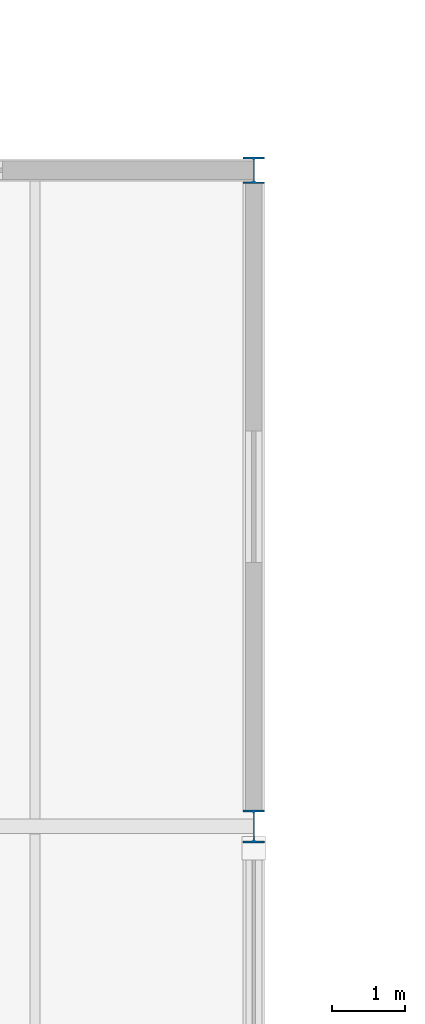
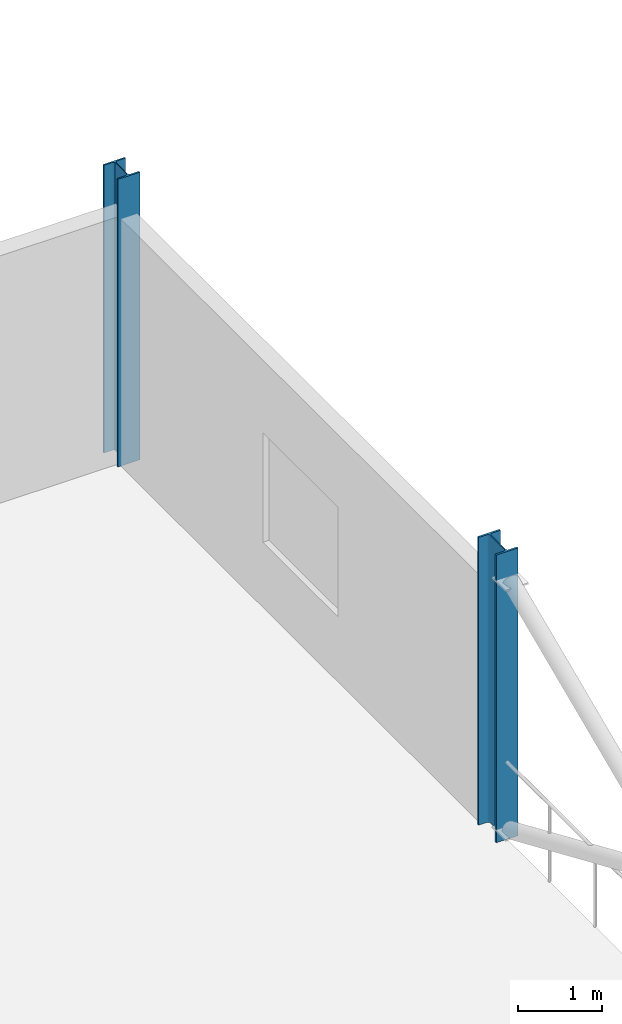
# One storey, part 18 of 132: 2 columns.
"""IFC4 building model written with IfcOpenShell, lengths in metres."""

from ifc_helpers import new_model, si_unit, direction, frame, origin, origin_2d, place, context, subcontext, project, spatial, i_section, extrude, material, material_profile, profile_set, type_object, element, save


model = new_model("IFC4")

# Units and contexts
model_context = context("Model", 3, precision=1e-05, world=origin(), true_north=direction((0.0, 1.0)))
body_context = subcontext(model_context, "Body", "Model", "MODEL_VIEW")
ifc_project = project(units=[si_unit("LENGTHUNIT", "METRE"), si_unit("AREAUNIT", "SQUARE_METRE"), si_unit("VOLUMEUNIT", "CUBIC_METRE"), si_unit("PLANEANGLEUNIT", "RADIAN"), si_unit("MASSUNIT", "GRAM", prefix="KILO")], contexts=[model_context])

# Site, building, storey
site_placement = place(None, origin())
site = spatial("IfcSite", under=ifc_project, at=site_placement, CompositionType="ELEMENT")
building_placement = place(site_placement, origin())
building = spatial("IfcBuilding", under=site, at=building_placement, Name="Deido Ridge Mobility Hub", CompositionType="ELEMENT")
storey_placement = place(building_placement, frame((0.0, 0.0, 8.39990234375)))
storey = spatial("IfcBuildingStorey", under=building, at=storey_placement, Name="L02", CompositionType="ELEMENT", Elevation=8.39990234375)

# Columns
ifc_material = material(Name="Steel S355J2 EN 10025-2", Category="steel")
ifc_material_profile_1 = material_profile(ifc_material, i_section(OverallWidth=0.300048828125, OverallDepth=0.360107421875, WebThickness=0.012451171875, FlangeThickness=0.0224609375, FilletRadius=0.027099609375, at=origin_2d()), Name="HEB 360")
ifc_profile_set_1 = profile_set([ifc_material_profile_1], Name="Steel S355J2 EN 10025-2")
column_type_1 = type_object("IfcColumnType", Name="COL-HEB360", PredefinedType="COLUMN", material=ifc_profile_set_1)
column_1_placement = place(storey_placement, frame((180.0, 72.0, 0.0), z_axis=(0.0, 0.0, 1.0), x_axis=(1.0, 0.0, 0.0)))
element("IfcColumn", 1, at=column_1_placement, inside=storey, type_object=column_type_1, Name="Structural column C8", PredefinedType="COLUMN", context=body_context, shape_type="SweptSolid", body=[
    extrude(i_section(OverallWidth=0.300048828125, OverallDepth=0.360107421875, WebThickness=0.012451171875, FlangeThickness=0.0224609375, FilletRadius=0.027099609375, at=origin_2d()), origin(), (0.0, 0.0, 1.0), 4.2001953125),
])
ifc_material_profile_2 = material_profile(ifc_material, i_section(OverallWidth=0.300048828125, OverallDepth=0.449951171875, WebThickness=0.013916015625, FlangeThickness=0.02587890625, FilletRadius=0.027099609375, at=origin_2d()), Name="HEB 450")
ifc_profile_set_2 = profile_set([ifc_material_profile_2], Name="Steel S355J2 EN 10025-2")
column_type_2 = type_object("IfcColumnType", Name="COL-HEB450", PredefinedType="COLUMN", material=ifc_profile_set_2)
column_2_placement = place(storey_placement, frame((180.0, 63.0, 0.0), z_axis=(0.0, 0.0, 1.0), x_axis=(1.0, 0.0, 0.0)))
element("IfcColumn", 2, at=column_2_placement, inside=storey, type_object=column_type_2, Name="Structural column C6", PredefinedType="COLUMN", context=body_context, shape_type="SweptSolid", body=[
    extrude(i_section(OverallWidth=0.300048828125, OverallDepth=0.449951171875, WebThickness=0.013916015625, FlangeThickness=0.02587890625, FilletRadius=0.027099609375, at=origin_2d()), origin(), (0.0, 0.0, 1.0), 4.2001953125),
])

save(model, "model.ifc")
